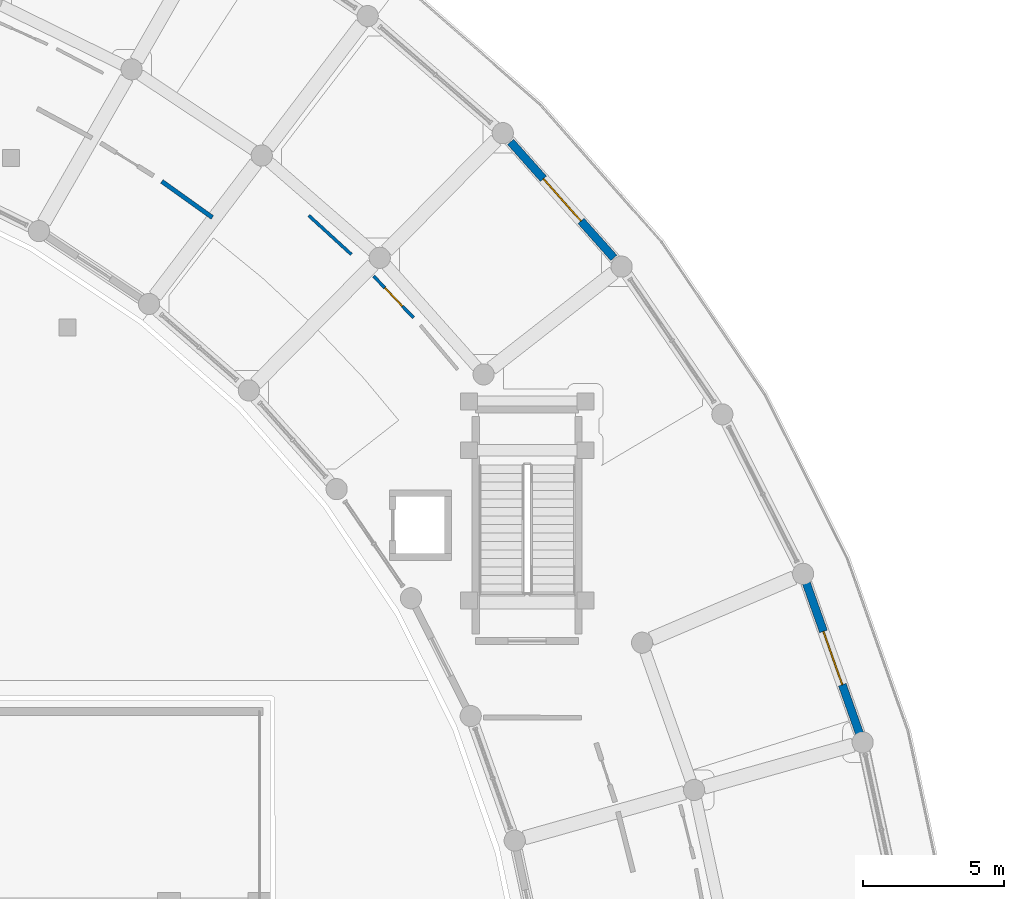
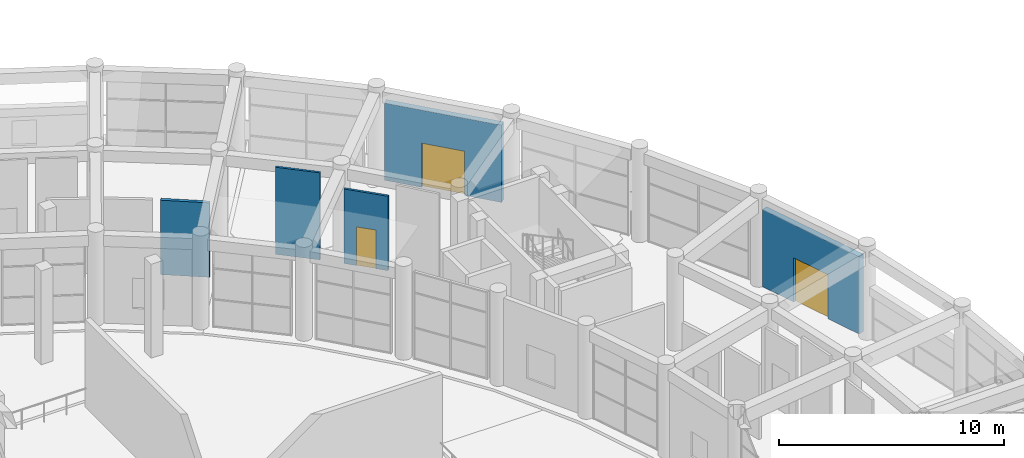
# One storey, part 74 of 99: 5 walls, 3 doors, 3 openings.
"""IFC4 building model written with IfcOpenShell, lengths in metres."""

from ifc_helpers import new_model, si_unit, direction, frame, frame_2d, origin, place, context, subcontext, project, spatial, rectangle, extrude, material, layer, layer_set, type_object, element, fill, save


model = new_model("IFC4")

# Units and contexts
model_context = context("Model", 3, precision=1e-05, world=origin(), true_north=direction((0.0, 1.0)))
body_context = subcontext(model_context, "Body", "Model", "MODEL_VIEW")
ifc_project = project(units=[si_unit("LENGTHUNIT", "METRE"), si_unit("AREAUNIT", "SQUARE_METRE"), si_unit("VOLUMEUNIT", "CUBIC_METRE"), si_unit("PLANEANGLEUNIT", "RADIAN"), si_unit("MASSUNIT", "GRAM", prefix="KILO")], contexts=[model_context])

# Site, building, storey
site_placement = place(None, origin())
site = spatial("IfcSite", under=ifc_project, at=site_placement, CompositionType="ELEMENT")
building_placement = place(site_placement, origin())
building = spatial("IfcBuilding", under=site, at=building_placement, Name="Saryqyr Civic Hall", CompositionType="ELEMENT")
storey_placement = place(building_placement, origin())
storey = spatial("IfcBuildingStorey", under=building, at=storey_placement, Name="L00", CompositionType="ELEMENT", Elevation=0.0)

# Wall, opening, door
ifc_material_1 = material(Name="Precast concrete C40/50", Category="concrete")
ifc_layer_1 = layer(ifc_material_1, 0.2900390625, Name="Precast concrete C40/50")
ifc_layer_set_1 = layer_set([ifc_layer_1], Name="Precast concrete C40/50")
wall_type_1 = type_object("IfcWallType", Name="ENV-WAL-EXT-290", PredefinedType="STANDARD", material=ifc_layer_set_1)
wall_1_placement = place(storey_placement, frame((102.158935546875, 102.965576171875, 0.0), z_axis=(0.0, 0.0, 1.0), x_axis=(0.333187169023, -0.942860705724, 0.0)))
wall_1 = element("IfcWall", 1, at=wall_1_placement, inside=storey, type_object=wall_type_1, Name="Exterior wall V6-EWO-L00-02", PredefinedType="STANDARD", context=body_context, shape_type="SweptSolid", body=[
    extrude(rectangle(XDim=5.670654296875, YDim=0.2900390625, at=frame_2d((2.83544921875, 0.0))), origin(), (0.0, 0.0, 1.0), 4.195068359375),
])
opening_1_placement = place(wall_1_placement, frame((1.8349609375, 0.0, 0.0)))
opening_1 = element("IfcOpeningElement", 2, at=opening_1_placement, cuts=wall_1, Name="Opening ED-A", PredefinedType="OPENING", context=body_context, shape_type="SweptSolid", body=[
    extrude(rectangle(XDim=2.0, YDim=2.39990234375, at=frame_2d((1.0, 1.199951171875))), frame((0.0, 0.155029296875, 0.0), z_axis=(0.0, -1.0, 0.0), x_axis=(1.0, 0.0, 0.0)), (0.0, 0.0, 1.0), 0.31005859375),
])
ifc_material_2 = material(Name="Thermally broken painted galvanized steel", Category="steel")
door_type_1 = type_object("IfcDoorType", Name="ENV-DR-EXIT-2000x2400", OperationType="NOTDEFINED", PredefinedType="DOOR", material=ifc_material_2)
door_1_placement = place(opening_1_placement, origin())
door_1 = element("IfcDoor", 3, at=door_1_placement, inside=storey, type_object=door_type_1, Name="Pedestrian Final Exit Door V6-02", OperationType="DOUBLE_DOOR_SINGLE_SWING", OverallHeight=2.39990234375, OverallWidth=2.0, PredefinedType="DOOR", context=body_context, shape_type="SweptSolid", body=[
    extrude(rectangle(XDim=2.0, YDim=2.39990234375, at=frame_2d((1.0, 1.199951171875))), frame((0.0, 0.02490234375, 0.0), z_axis=(0.0, -1.0, 0.0), x_axis=(1.0, 0.0, 0.0)), (0.0, 0.0, 1.0), 0.050048828125),
])
fill(opening_1, door_1)

wall_2_placement = place(storey_placement, frame((91.693603515625, 118.5673828125, 0.0), z_axis=(0.0, 0.0, 1.0), x_axis=(0.664934146614, -0.746901988661, 0.0)))
wall_2 = element("IfcWall", 4, at=wall_2_placement, inside=storey, type_object=wall_type_1, Name="Exterior wall V6-EWO-L00-05", PredefinedType="STANDARD", context=body_context, shape_type="SweptSolid", body=[
    extrude(rectangle(XDim=5.498291015625, YDim=0.2900390625, at=frame_2d((2.7490234375, 0.0))), origin(), (0.0, 0.0, 1.0), 4.195068359375),
])
opening_2_placement = place(wall_2_placement, frame((1.7490234375, 0.0, 0.0)))
opening_2 = element("IfcOpeningElement", 5, at=opening_2_placement, cuts=wall_2, Name="Opening ED-A", PredefinedType="OPENING", context=body_context, shape_type="SweptSolid", body=[
    extrude(rectangle(XDim=2.0, YDim=2.39990234375, at=frame_2d((1.0, 1.199951171875))), frame((0.0, 0.155029296875, 0.0), z_axis=(0.0, -1.0, 0.0), x_axis=(1.0, 0.0, 0.0)), (0.0, 0.0, 1.0), 0.31005859375),
])
door_2_placement = place(opening_2_placement, origin())
door_2 = element("IfcDoor", 6, at=door_2_placement, inside=storey, type_object=door_type_1, Name="Pedestrian Final Exit Door V6-05", OperationType="DOUBLE_DOOR_SINGLE_SWING", OverallHeight=2.39990234375, OverallWidth=2.0, PredefinedType="DOOR", context=body_context, shape_type="SweptSolid", body=[
    extrude(rectangle(XDim=2.0, YDim=2.39990234375, at=frame_2d((1.0, 1.199951171875))), frame((0.0, 0.02490234375, 0.0), z_axis=(0.0, -1.0, 0.0), x_axis=(1.0, 0.0, 0.0)), (0.0, 0.0, 1.0), 0.050048828125),
])
fill(opening_2, door_2)

ifc_material_3 = material(Name="Moisture-resistant gypsum partition", Category="gypsum")
ifc_layer_2 = layer(ifc_material_3, 0.110107421875, Name="Moisture-resistant gypsum partition")
ifc_layer_set_2 = layer_set([ifc_layer_2], Name="Moisture-resistant gypsum partition")
wall_type_2 = type_object("IfcWallType", Name="INT-WAL-PRT-110", PredefinedType="PARTITIONING", material=ifc_layer_set_2)
wall_3_placement = place(storey_placement, frame((88.260009765625, 112.340576171875, 0.0), z_axis=(0.0, 0.0, 1.0), x_axis=(-0.69256911777, 0.721351521182, 0.0)))
wall_3 = element("IfcWall", 7, at=wall_3_placement, inside=storey, type_object=wall_type_2, Name="Interior partition PRT-SP-V6-L00-R02-W1", PredefinedType="PARTITIONING", context=body_context, shape_type="SweptSolid", body=[
    extrude(rectangle(XDim=2.044189453125, YDim=0.110107421875, at=frame_2d((1.02197265625, 0.0))), origin(), (0.0, 0.0, 1.0), 4.044921875),
])
opening_3_placement = place(wall_3_placement, frame((0.572021484375, 0.0, 0.0)))
opening_3 = element("IfcOpeningElement", 8, at=opening_3_placement, cuts=wall_3, Name="Opening D-01", PredefinedType="OPENING", context=body_context, shape_type="SweptSolid", body=[
    extrude(rectangle(XDim=0.89990234375, YDim=2.10009765625, at=frame_2d((0.449951171875, 1.050048828125))), frame((0.0, 0.06494140625, 0.0), z_axis=(0.0, -1.0, 0.0), x_axis=(1.0, 0.0, 0.0)), (0.0, 0.0, 1.0), 0.130126953125),
])
ifc_material_4 = material(Name="Acoustic solid-core oak veneer", Category="wood")
door_type_2 = type_object("IfcDoorType", Name="INT-DR-D-01", OperationType="NOTDEFINED", PredefinedType="DOOR", material=ifc_material_4)
door_3_placement = place(opening_3_placement, origin())
door_3 = element("IfcDoor", 9, at=door_3_placement, inside=storey, type_object=door_type_2, Name="Interior door Community Participatory Budget Hub", OperationType="SINGLE_SWING_RIGHT", OverallHeight=2.10009765625, OverallWidth=0.89990234375, PredefinedType="DOOR", context=body_context, shape_type="SweptSolid", body=[
    extrude(rectangle(XDim=0.89990234375, YDim=2.10009765625, at=frame_2d((0.449951171875, 1.050048828125))), frame((0.0, 0.02490234375, 0.0), z_axis=(0.0, -1.0, 0.0), x_axis=(1.0, 0.0, 0.0)), (0.0, 0.0, 1.0), 0.050048828125),
])
fill(opening_3, door_3)

# Walls
wall_4_placement = place(storey_placement, frame((86.05712890625, 114.582763671875, 0.0), z_axis=(0.0, 0.0, 1.0), x_axis=(-0.738506180339, 0.674246706779, 0.0)))
element("IfcWall", 10, at=wall_4_placement, inside=storey, type_object=wall_type_2, Name="Interior partition PRT-SP-V6-L00-R02-W3", PredefinedType="PARTITIONING", context=body_context, shape_type="SweptSolid", body=[
    extrude(rectangle(XDim=2.0439453125, YDim=0.110107421875, at=frame_2d((1.02197265625, 0.0))), origin(), (0.0, 0.0, 1.0), 4.72998046875),
])
ifc_material_5 = material(Name="Acoustic double-stud gypsum board", Category="gypsum")
ifc_layer_3 = layer(ifc_material_5, 0.155029296875, Name="Acoustic double-stud gypsum board")
ifc_layer_set_3 = layer_set([ifc_layer_3], Name="Acoustic double-stud gypsum board")
wall_type_3 = type_object("IfcWallType", Name="INT-WAL-PRT-155", PredefinedType="PARTITIONING", material=ifc_layer_set_3)
wall_5_placement = place(storey_placement, frame((79.347412109375, 117.168701171875, 0.0), z_axis=(0.0, 0.0, 1.0), x_axis=(0.813695920366, -0.581290761305, 0.0)))
element("IfcWall", 11, at=wall_5_placement, inside=storey, type_object=wall_type_3, Name="Interior partition PRT-SP-V6-L00-R05-W2", PredefinedType="PARTITIONING", context=body_context, shape_type="SweptSolid", body=[
    extrude(rectangle(XDim=2.196533203125, YDim=0.155029296875, at=frame_2d((1.09814453125, 0.0))), origin(), (0.0, 0.0, 1.0), 4.044921875),
])

save(model, "model.ifc")
